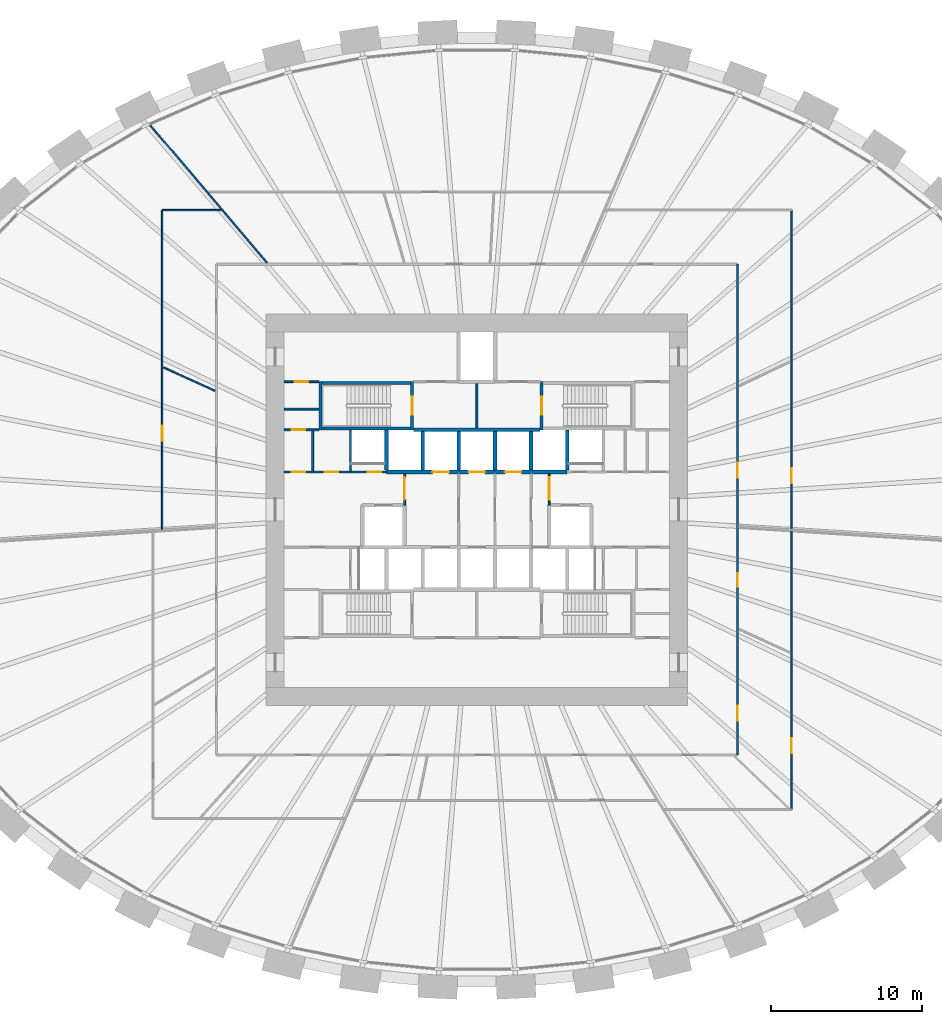
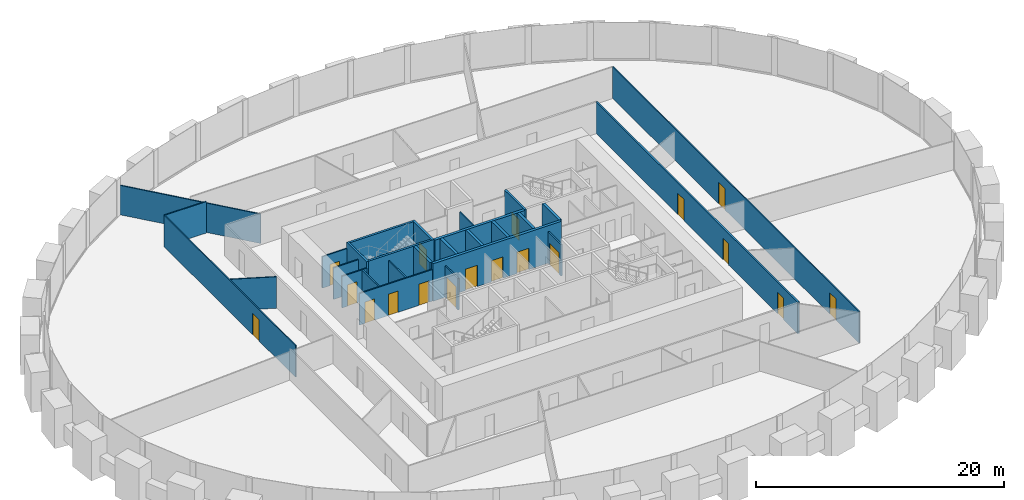
# One storey, part 8 of 10: 28 walls, 18 doors, 18 openings.
"""IFC4 building model written with IfcOpenShell, lengths in metres."""

from ifc_helpers import new_model, si_unit, direction, frame, frame_2d, origin, place, context, subcontext, project, spatial, rectangle, extrude, source, transform, mapped, material, layer, layer_set, type_object, element, fill, save


model = new_model("IFC4")

# Units and contexts
model_context = context("Model", 3, precision=1e-05, world=origin(), true_north=direction((0.0, 1.0)))
body_context = subcontext(model_context, "Body", "Model", "MODEL_VIEW")
ifc_project = project(units=[si_unit("LENGTHUNIT", "METRE"), si_unit("AREAUNIT", "SQUARE_METRE"), si_unit("VOLUMEUNIT", "CUBIC_METRE"), si_unit("PLANEANGLEUNIT", "RADIAN"), si_unit("MASSUNIT", "GRAM", prefix="KILO")], contexts=[model_context])

# Site, building, storey
site_placement = place(None, origin())
site = spatial("IfcSite", under=ifc_project, at=site_placement, CompositionType="ELEMENT")
building_placement = place(site_placement, origin())
building = spatial("IfcBuilding", under=site, at=building_placement, Name="Embergate Tower", CompositionType="ELEMENT")
storey_placement = place(building_placement, frame((0.0, 0.0, 81.5)))
storey = spatial("IfcBuildingStorey", under=building, at=storey_placement, Name="L16", CompositionType="ELEMENT", Elevation=81.5)

# Walls
ifc_material_1 = material(Name="Concrete C50", Category="concrete")
ifc_layer_1 = layer(ifc_material_1, 0.25)
ifc_layer_set_1 = layer_set([ifc_layer_1], Name="Concrete C50")
wall_type_1 = type_object("IfcWallType", Name="Hoistway wall reinforced concrete 250", PredefinedType="SHEAR", material=ifc_layer_set_1)
shared_shape_1 = source(origin(), body_context, "Body", "SweptSolid", [
    extrude(rectangle(XDim=2.675048828125, YDim=0.25, at=frame_2d((1.33740234375, 0.0))), origin(), (0.0, 0.0, 1.0), 3.699951171875),
])
for number, where, z_axis, x_axis, name in (
    (1, (-6.0, 2.625, 0.0), (0.0, 0.0, 1.0), (0.0, 1.0, 0.0), "HW-1 wall"),
    (2, (6.0, 2.625, 0.0), (0.0, 0.0, 1.0), (0.0, 1.0, 0.0), "HW-1 wall"),
):
    element("IfcWall", number, at=place(storey_placement, frame(where, z_axis=z_axis, x_axis=x_axis)), inside=storey, type_object=wall_type_1, Name=name, PredefinedType="SHEAR", context=body_context, shape_type="MappedRepresentation", body=[
        mapped(shared_shape_1, transform((0.0, 0.0, 0.0))),
    ])

# Wall, openings, doors
ifc_material_2 = material(Name="Core partition blockwork 120")
ifc_layer_2 = layer(ifc_material_2, 0.1201171875)
ifc_layer_set_2 = layer_set([ifc_layer_2], Name="Core partition blockwork 120")
wall_type_2 = type_object("IfcWallType", Name="Core partition blockwork 120", PredefinedType="PARTITIONING", material=ifc_layer_set_2)
shared_shape_2 = source(origin(), body_context, "Body", "SweptSolid", [
    extrude(rectangle(XDim=6.800048828125, YDim=0.1201171875, at=frame_2d((3.39990234375, 0.0))), origin(), (0.0, 0.0, 1.0), 3.10009765625),
])
wall_1_placement = place(storey_placement, frame((-12.800048828125, 2.5, 0.0), z_axis=(0.0, 0.0, 1.0), x_axis=(1.0, 0.0, 0.0)))
wall_1 = element("IfcWall", 3, at=wall_1_placement, inside=storey, type_object=wall_type_2, Name="IP-3 wall", PredefinedType="PARTITIONING", context=body_context, shape_type="MappedRepresentation", body=[
    mapped(shared_shape_2, transform((0.0, 0.0, 0.0))),
])
shared_shape_3 = source(origin(), body_context, "Body", "SweptSolid", [
    extrude(rectangle(XDim=0.89990234375, YDim=2.10009765625, at=frame_2d((0.449951171875, 1.050048828125))), frame((0.0, 0.070068359375, 0.0), z_axis=(0.0, -1.0, 0.0), x_axis=(1.0, 0.0, 0.0)), (0.0, 0.0, 1.0), 0.14013671875),
])
opening_1_placement = place(wall_1_placement, frame((5.550048828125, 0.0, 0.0)))
opening_1 = element("IfcOpeningElement", 4, at=opening_1_placement, cuts=wall_1, Name="Opening ID-1", PredefinedType="OPENING", context=body_context, shape_type="MappedRepresentation", body=[
    mapped(shared_shape_3, transform((0.0, 0.0, 0.0))),
])
opening_2_placement = place(wall_1_placement, frame((0.49609375, 0.0, 0.0)))
opening_2 = element("IfcOpeningElement", 5, at=opening_2_placement, cuts=wall_1, Name="Opening ID-1", PredefinedType="OPENING", context=body_context, shape_type="MappedRepresentation", body=[
    mapped(shared_shape_3, transform((0.0, 0.0, 0.0))),
])
opening_3_placement = place(wall_1_placement, frame((2.696044921875, 0.0, 0.0)))
opening_3 = element("IfcOpeningElement", 6, at=opening_3_placement, cuts=wall_1, Name="Opening ID-1", PredefinedType="OPENING", context=body_context, shape_type="MappedRepresentation", body=[
    mapped(shared_shape_3, transform((0.0, 0.0, 0.0))),
])
ifc_material_3 = material(Name="Interior door 900")
door_type_1 = type_object("IfcDoorType", Name="Interior door 900", OperationType="SINGLE_SWING_LEFT", PredefinedType="DOOR", material=ifc_material_3)
shared_shape_4 = source(origin(), body_context, "Body", "SweptSolid", [
    extrude(rectangle(XDim=0.89990234375, YDim=2.10009765625, at=frame_2d((0.449951171875, 1.050048828125))), frame((0.0, 0.02490234375, 0.0), z_axis=(0.0, -1.0, 0.0), x_axis=(1.0, 0.0, 0.0)), (0.0, 0.0, 1.0), 0.050048828125),
])
door_1_placement = place(opening_1_placement, origin())
door_1 = element("IfcDoor", 7, at=door_1_placement, inside=storey, type_object=door_type_1, Name="ID-1 door", OperationType="SINGLE_SWING_RIGHT", OverallHeight=2.10009765625, OverallWidth=0.89990234375, PredefinedType="DOOR", context=body_context, shape_type="MappedRepresentation", body=[
    mapped(shared_shape_4, transform((0.0, 0.0, 0.0))),
])
fill(opening_1, door_1)
door_2_placement = place(opening_2_placement, origin())
door_2 = element("IfcDoor", 8, at=door_2_placement, inside=storey, type_object=door_type_1, Name="ID-1 door", OperationType="SINGLE_SWING_RIGHT", OverallHeight=2.10009765625, OverallWidth=0.89990234375, PredefinedType="DOOR", context=body_context, shape_type="MappedRepresentation", body=[
    mapped(shared_shape_4, transform((0.0, 0.0, 0.0))),
])
fill(opening_2, door_2)
door_3_placement = place(opening_3_placement, origin())
door_3 = element("IfcDoor", 9, at=door_3_placement, inside=storey, type_object=door_type_1, Name="ID-1 door", OperationType="SINGLE_SWING_LEFT", OverallHeight=2.10009765625, OverallWidth=0.89990234375, PredefinedType="DOOR", context=body_context, shape_type="MappedRepresentation", body=[
    mapped(shared_shape_4, transform((0.0, 0.0, 0.0))),
])
fill(opening_3, door_3)

# Walls
ifc_layer_3 = layer(ifc_material_1, 0.199951171875)
ifc_layer_set_3 = layer_set([ifc_layer_3], Name="Concrete C50")
wall_type_3 = type_object("IfcWallType", Name="Stair enclosure wall reinforced concrete 250", PredefinedType="SHEAR", material=ifc_layer_set_3)
shared_shape_5 = source(origin(), body_context, "Body", "SweptSolid", [
    extrude(rectangle(XDim=6.300048828125, YDim=0.199951171875, at=frame_2d((3.14990234375, 0.0))), origin(), (0.0, 0.0, 1.0), 3.699951171875),
])
for number, where, z_axis, x_axis, name in (
    (10, (-4.199951171875, 5.39990234375, 0.0), (0.0, 0.0, 1.0), (-1.0, 0.0, 0.0), "SE-1 wall"),
    (11, (-4.199951171875, 8.39990234375, 0.0), (0.0, 0.0, 1.0), (-1.0, 0.0, 0.0), "SE-1 wall"),
):
    element("IfcWall", number, at=place(storey_placement, frame(where, z_axis=z_axis, x_axis=x_axis)), inside=storey, type_object=wall_type_3, Name=name, PredefinedType="SHEAR", context=body_context, shape_type="MappedRepresentation", body=[
        mapped(shared_shape_5, transform((0.0, 0.0, 0.0))),
    ])
shared_shape_6 = source(origin(), body_context, "Body", "SweptSolid", [
    extrude(rectangle(XDim=2.739990234375, YDim=0.1201171875, at=frame_2d((1.3701171875, 0.0))), origin(), (0.0, 0.0, 1.0), 3.10009765625),
])
wall_2_placement = place(storey_placement, frame((-8.39990234375, 5.300048828125, 0.0), z_axis=(0.0, 0.0, 1.0), x_axis=(0.0, -1.0, 0.0)))
element("IfcWall", 12, at=wall_2_placement, inside=storey, type_object=wall_type_2, Name="IP-3 wall", PredefinedType="PARTITIONING", context=body_context, shape_type="MappedRepresentation", body=[
    mapped(shared_shape_6, transform((0.0, 0.0, 0.0))),
])
shared_shape_7 = source(origin(), body_context, "Body", "SweptSolid", [
    extrude(rectangle(XDim=2.550048828125, YDim=0.25, at=frame_2d((1.27490234375, 0.0))), origin(), (0.0, 0.0, 1.0), 3.699951171875),
])
for number, where, z_axis, x_axis, name in (
    (13, (-3.60009765625, 2.625, 0.0), (0.0, 0.0, 1.0), (0.0, 1.0, 0.0), "HW-1 wall"),
    (14, (-1.199951171875, 2.625, 0.0), (0.0, 0.0, 1.0), (0.0, 1.0, 0.0), "HW-1 wall"),
    (15, (1.199951171875, 2.625, 0.0), (0.0, 0.0, 1.0), (0.0, 1.0, 0.0), "HW-1 wall"),
    (16, (3.60009765625, 2.625, 0.0), (0.0, 0.0, 1.0), (0.0, 1.0, 0.0), "HW-1 wall"),
):
    element("IfcWall", number, at=place(storey_placement, frame(where, z_axis=z_axis, x_axis=x_axis)), inside=storey, type_object=wall_type_1, Name=name, PredefinedType="SHEAR", context=body_context, shape_type="MappedRepresentation", body=[
        mapped(shared_shape_7, transform((0.0, 0.0, 0.0))),
    ])

# Wall, openings, doors
shared_shape_8 = source(origin(), body_context, "Body", "SweptSolid", [
    extrude(rectangle(XDim=12.0, YDim=0.25, at=frame_2d((6.0, 0.0))), origin(), (0.0, 0.0, 1.0), 3.699951171875),
])
wall_3_placement = place(storey_placement, frame((-6.0, 2.5, 0.0), z_axis=(0.0, 0.0, 1.0), x_axis=(1.0, 0.0, 0.0)))
wall_3 = element("IfcWall", 17, at=wall_3_placement, inside=storey, type_object=wall_type_1, Name="HW-1 wall", PredefinedType="SHEAR", context=body_context, shape_type="MappedRepresentation", body=[
    mapped(shared_shape_8, transform((0.0, 0.0, 0.0))),
])
shared_shape_9 = source(origin(), body_context, "Body", "SweptSolid", [
    extrude(rectangle(XDim=1.10009765625, YDim=2.10009765625, at=frame_2d((0.550048828125, 1.050048828125))), frame((0.0, 0.135009765625, 0.0), z_axis=(0.0, -1.0, 0.0), x_axis=(1.0, 0.0, 0.0)), (0.0, 0.0, 1.0), 0.27001953125),
])
opening_4_placement = place(wall_3_placement, frame((3.050048828125, 0.0, 0.0)))
opening_4 = element("IfcOpeningElement", 18, at=opening_4_placement, cuts=wall_3, Name="Opening LD", PredefinedType="OPENING", context=body_context, shape_type="MappedRepresentation", body=[
    mapped(shared_shape_9, transform((0.0, 0.0, 0.0))),
])
opening_5_placement = place(wall_3_placement, frame((5.449951171875, 0.0, 0.0)))
opening_5 = element("IfcOpeningElement", 19, at=opening_5_placement, cuts=wall_3, Name="Opening LD", PredefinedType="OPENING", context=body_context, shape_type="MappedRepresentation", body=[
    mapped(shared_shape_9, transform((0.0, 0.0, 0.0))),
])
opening_6_placement = place(wall_3_placement, frame((7.85009765625, 0.0, 0.0)))
opening_6 = element("IfcOpeningElement", 20, at=opening_6_placement, cuts=wall_3, Name="Opening LD", PredefinedType="OPENING", context=body_context, shape_type="MappedRepresentation", body=[
    mapped(shared_shape_9, transform((0.0, 0.0, 0.0))),
])
ifc_material_4 = material(Name="Landing door sliding 1100")
door_type_2 = type_object("IfcDoorType", Name="Landing door sliding 1100", OperationType="SLIDING_TO_LEFT", PredefinedType="DOOR", material=ifc_material_4)
shared_shape_10 = source(origin(), body_context, "Body", "SweptSolid", [
    extrude(rectangle(XDim=1.10009765625, YDim=2.10009765625, at=frame_2d((0.550048828125, 1.050048828125))), frame((0.0, 0.02490234375, 0.0), z_axis=(0.0, -1.0, 0.0), x_axis=(1.0, 0.0, 0.0)), (0.0, 0.0, 1.0), 0.050048828125),
])
door_4_placement = place(opening_4_placement, origin())
door_4 = element("IfcDoor", 21, at=door_4_placement, inside=storey, type_object=door_type_2, Name="LD door", OperationType="SLIDING_TO_RIGHT", OverallHeight=2.10009765625, OverallWidth=1.10009765625, PredefinedType="DOOR", context=body_context, shape_type="MappedRepresentation", body=[
    mapped(shared_shape_10, transform((0.0, 0.0, 0.0))),
])
fill(opening_4, door_4)
door_5_placement = place(opening_5_placement, origin())
door_5 = element("IfcDoor", 22, at=door_5_placement, inside=storey, type_object=door_type_2, Name="LD door", OperationType="SLIDING_TO_RIGHT", OverallHeight=2.10009765625, OverallWidth=1.10009765625, PredefinedType="DOOR", context=body_context, shape_type="MappedRepresentation", body=[
    mapped(shared_shape_10, transform((0.0, 0.0, 0.0))),
])
fill(opening_5, door_5)
door_6_placement = place(opening_6_placement, origin())
door_6 = element("IfcDoor", 23, at=door_6_placement, inside=storey, type_object=door_type_2, Name="LD door", OperationType="SLIDING_TO_RIGHT", OverallHeight=2.10009765625, OverallWidth=1.10009765625, PredefinedType="DOOR", context=body_context, shape_type="MappedRepresentation", body=[
    mapped(shared_shape_10, transform((0.0, 0.0, 0.0))),
])
fill(opening_6, door_6)

# Wall
shared_shape_11 = source(origin(), body_context, "Body", "SweptSolid", [
    extrude(rectangle(XDim=8.39990234375, YDim=0.25, at=frame_2d((4.199951171875, 0.0))), origin(), (0.0, 0.0, 1.0), 3.699951171875),
])
wall_4_placement = place(storey_placement, frame((4.199951171875, 5.300048828125, 0.0), z_axis=(0.0, 0.0, 1.0), x_axis=(-1.0, 0.0, 0.0)))
element("IfcWall", 24, at=wall_4_placement, inside=storey, type_object=wall_type_1, Name="HW-1 wall", PredefinedType="SHEAR", context=body_context, shape_type="MappedRepresentation", body=[
    mapped(shared_shape_11, transform((0.0, 0.0, 0.0))),
])

# Wall, opening, door
shared_shape_12 = source(origin(), body_context, "Body", "SweptSolid", [
    extrude(rectangle(XDim=2.074951171875, YDim=0.1201171875, at=frame_2d((1.03759765625, 0.0))), origin(), (0.0, 0.0, 1.0), 3.10009765625),
])
wall_5_placement = place(storey_placement, frame((-4.800048828125, 2.375, 0.0), z_axis=(0.0, 0.0, 1.0), x_axis=(0.0, -1.0, 0.0)))
wall_5 = element("IfcWall", 25, at=wall_5_placement, inside=storey, type_object=wall_type_2, Name="IP-3 wall", PredefinedType="PARTITIONING", context=body_context, shape_type="MappedRepresentation", body=[
    mapped(shared_shape_12, transform((0.0, 0.0, 0.0))),
])
shared_shape_13 = source(origin(), body_context, "Body", "SweptSolid", [
    extrude(rectangle(XDim=1.5, YDim=2.10009765625, at=frame_2d((0.75, 1.050048828125))), frame((0.0, 0.070068359375, 0.0), z_axis=(0.0, -1.0, 0.0), x_axis=(1.0, 0.0, 0.0)), (0.0, 0.0, 1.0), 0.14013671875),
])
opening_7_placement = place(wall_5_placement, frame((0.22509765625, 0.0, 0.0)))
opening_7 = element("IfcOpeningElement", 26, at=opening_7_placement, cuts=wall_5, Name="Opening IF-3", PredefinedType="OPENING", context=body_context, shape_type="MappedRepresentation", body=[
    mapped(shared_shape_13, transform((0.0, 0.0, 0.0))),
])
ifc_material_5 = material(Name="Lobby fire door pair 1500")
door_type_3 = type_object("IfcDoorType", Name="Lobby fire door pair 1500", OperationType="DOUBLE_DOOR_SINGLE_SWING", PredefinedType="DOOR", material=ifc_material_5)
shared_shape_14 = source(origin(), body_context, "Body", "SweptSolid", [
    extrude(rectangle(XDim=1.5, YDim=2.10009765625, at=frame_2d((0.75, 1.050048828125))), frame((0.0, 0.02490234375, 0.0), z_axis=(0.0, -1.0, 0.0), x_axis=(1.0, 0.0, 0.0)), (0.0, 0.0, 1.0), 0.050048828125),
])
door_7_placement = place(opening_7_placement, origin())
door_7 = element("IfcDoor", 27, at=door_7_placement, inside=storey, type_object=door_type_3, Name="IF-3 door", OperationType="DOUBLE_DOOR_SINGLE_SWING", OverallHeight=2.10009765625, OverallWidth=1.5, PredefinedType="DOOR", context=body_context, shape_type="MappedRepresentation", body=[
    mapped(shared_shape_14, transform((0.0, 0.0, 0.0))),
])
fill(opening_7, door_7)

wall_6_placement = place(storey_placement, frame((4.800048828125, 0.300048828125, 0.0), z_axis=(0.0, 0.0, 1.0), x_axis=(0.0, 1.0, 0.0)))
wall_6 = element("IfcWall", 28, at=wall_6_placement, inside=storey, type_object=wall_type_2, Name="IP-3 wall", PredefinedType="PARTITIONING", context=body_context, shape_type="MappedRepresentation", body=[
    mapped(shared_shape_12, transform((0.0, 0.0, 0.0))),
])
opening_8_placement = place(wall_6_placement, frame((0.35009765625, 0.0, 0.0)))
opening_8 = element("IfcOpeningElement", 29, at=opening_8_placement, cuts=wall_6, Name="Opening IF-3", PredefinedType="OPENING", context=body_context, shape_type="MappedRepresentation", body=[
    mapped(shared_shape_13, transform((0.0, 0.0, 0.0))),
])
door_8_placement = place(opening_8_placement, origin())
door_8 = element("IfcDoor", 30, at=door_8_placement, inside=storey, type_object=door_type_3, Name="IF-3 door", OperationType="DOUBLE_DOOR_SINGLE_SWING", OverallHeight=2.10009765625, OverallWidth=1.5, PredefinedType="DOOR", context=body_context, shape_type="MappedRepresentation", body=[
    mapped(shared_shape_14, transform((0.0, 0.0, 0.0))),
])
fill(opening_8, door_8)

shared_shape_15 = source(origin(), body_context, "Body", "SweptSolid", [
    extrude(rectangle(XDim=3.199951171875, YDim=0.199951171875, at=frame_2d((1.60009765625, 0.0))), origin(), (0.0, 0.0, 1.0), 3.699951171875),
])
wall_7_placement = place(storey_placement, frame((-4.300048828125, 5.300048828125, 0.0), z_axis=(0.0, 0.0, 1.0), x_axis=(0.0, 1.0, 0.0)))
wall_7 = element("IfcWall", 31, at=wall_7_placement, inside=storey, type_object=wall_type_3, Name="SE-1 wall", PredefinedType="SHEAR", context=body_context, shape_type="MappedRepresentation", body=[
    mapped(shared_shape_15, transform((0.0, 0.0, 0.0))),
])
shared_shape_16 = source(origin(), body_context, "Body", "SweptSolid", [
    extrude(rectangle(XDim=1.199951171875, YDim=2.10009765625, at=frame_2d((0.60009765625, 1.050048828125))), frame((0.0, 0.10986328125, 0.0), z_axis=(0.0, -1.0, 0.0), x_axis=(1.0, 0.0, 0.0)), (0.0, 0.0, 1.0), 0.219970703125),
])
opening_9_placement = place(wall_7_placement, frame((1.0, 0.0, 0.0)))
opening_9 = element("IfcOpeningElement", 32, at=opening_9_placement, cuts=wall_7, Name="Opening IF-2", PredefinedType="OPENING", context=body_context, shape_type="MappedRepresentation", body=[
    mapped(shared_shape_16, transform((0.0, 0.0, 0.0))),
])
ifc_material_6 = material(Name="Stair enclosure door 1200")
door_type_4 = type_object("IfcDoorType", Name="Stair enclosure door 1200", OperationType="SINGLE_SWING_LEFT", PredefinedType="DOOR", material=ifc_material_6)
shared_shape_17 = source(origin(), body_context, "Body", "SweptSolid", [
    extrude(rectangle(XDim=1.199951171875, YDim=2.10009765625, at=frame_2d((0.60009765625, 1.050048828125))), frame((0.0, 0.02490234375, 0.0), z_axis=(0.0, -1.0, 0.0), x_axis=(1.0, 0.0, 0.0)), (0.0, 0.0, 1.0), 0.050048828125),
])
door_9_placement = place(opening_9_placement, origin())
door_9 = element("IfcDoor", 33, at=door_9_placement, inside=storey, type_object=door_type_4, Name="IF-2 door", OperationType="SINGLE_SWING_RIGHT", OverallHeight=2.10009765625, OverallWidth=1.199951171875, PredefinedType="DOOR", context=body_context, shape_type="MappedRepresentation", body=[
    mapped(shared_shape_17, transform((0.0, 0.0, 0.0))),
])
fill(opening_9, door_9)

# Wall
wall_8_placement = place(storey_placement, frame((-10.39990234375, 8.5, 0.0), z_axis=(0.0, 0.0, 1.0), x_axis=(0.0, -1.0, 0.0)))
element("IfcWall", 34, at=wall_8_placement, inside=storey, type_object=wall_type_3, Name="SE-1 wall", PredefinedType="SHEAR", context=body_context, shape_type="MappedRepresentation", body=[
    mapped(shared_shape_15, transform((0.0, 0.0, 0.0))),
])

# Wall, opening, door
wall_9_placement = place(storey_placement, frame((4.300048828125, 8.5, 0.0), z_axis=(0.0, 0.0, 1.0), x_axis=(0.0, -1.0, 0.0)))
wall_9 = element("IfcWall", 35, at=wall_9_placement, inside=storey, type_object=wall_type_3, Name="SE-1 wall", PredefinedType="SHEAR", context=body_context, shape_type="MappedRepresentation", body=[
    mapped(shared_shape_15, transform((0.0, 0.0, 0.0))),
])
opening_10_placement = place(wall_9_placement, frame((1.0, 0.0, 0.0)))
opening_10 = element("IfcOpeningElement", 36, at=opening_10_placement, cuts=wall_9, Name="Opening IF-2", PredefinedType="OPENING", context=body_context, shape_type="MappedRepresentation", body=[
    mapped(shared_shape_16, transform((0.0, 0.0, 0.0))),
])
door_10_placement = place(opening_10_placement, origin())
door_10 = element("IfcDoor", 37, at=door_10_placement, inside=storey, type_object=door_type_4, Name="IF-2 door", OperationType="SINGLE_SWING_LEFT", OverallHeight=2.10009765625, OverallWidth=1.199951171875, PredefinedType="DOOR", context=body_context, shape_type="MappedRepresentation", body=[
    mapped(shared_shape_17, transform((0.0, 0.0, 0.0))),
])
fill(opening_10, door_10)

# Wall
shared_shape_18 = source(origin(), body_context, "Body", "SweptSolid", [
    extrude(rectangle(XDim=2.949951171875, YDim=0.1201171875, at=frame_2d((1.47509765625, 0.0))), origin(), (0.0, 0.0, 1.0), 3.10009765625),
])
wall_10_placement = place(storey_placement, frame((0.0, 5.425048828125, 0.0), z_axis=(0.0, 0.0, 1.0), x_axis=(0.0, 1.0, 0.0)))
element("IfcWall", 38, at=wall_10_placement, inside=storey, type_object=wall_type_2, Name="IP-3 wall", PredefinedType="PARTITIONING", context=body_context, shape_type="MappedRepresentation", body=[
    mapped(shared_shape_18, transform((0.0, 0.0, 0.0))),
])

# Wall, opening, door
shared_shape_19 = source(origin(), body_context, "Body", "SweptSolid", [
    extrude(rectangle(XDim=2.300048828125, YDim=0.1201171875, at=frame_2d((1.14990234375, 0.0))), origin(), (0.0, 0.0, 1.0), 3.10009765625),
])
wall_11_placement = place(storey_placement, frame((-12.800048828125, 8.5, 0.0), z_axis=(0.0, 0.0, 1.0), x_axis=(1.0, 0.0, 0.0)))
wall_11 = element("IfcWall", 39, at=wall_11_placement, inside=storey, type_object=wall_type_2, Name="IP-3 wall", PredefinedType="PARTITIONING", context=body_context, shape_type="MappedRepresentation", body=[
    mapped(shared_shape_19, transform((0.0, 0.0, 0.0))),
])
opening_11_placement = place(wall_11_placement, frame((0.699951171875, 0.0, 0.0)))
opening_11 = element("IfcOpeningElement", 40, at=opening_11_placement, cuts=wall_11, Name="Opening ID-1", PredefinedType="OPENING", context=body_context, shape_type="MappedRepresentation", body=[
    mapped(shared_shape_3, transform((0.0, 0.0, 0.0))),
])
door_11_placement = place(opening_11_placement, origin())
door_11 = element("IfcDoor", 41, at=door_11_placement, inside=storey, type_object=door_type_1, Name="ID-1 door", OperationType="SINGLE_SWING_LEFT", OverallHeight=2.10009765625, OverallWidth=0.89990234375, PredefinedType="DOOR", context=body_context, shape_type="MappedRepresentation", body=[
    mapped(shared_shape_4, transform((0.0, 0.0, 0.0))),
])
fill(opening_11, door_11)

wall_12_placement = place(storey_placement, frame((-10.5, 5.300048828125, 0.0), z_axis=(0.0, 0.0, 1.0), x_axis=(-1.0, 0.0, 0.0)))
wall_12 = element("IfcWall", 42, at=wall_12_placement, inside=storey, type_object=wall_type_2, Name="IP-3 wall", PredefinedType="PARTITIONING", context=body_context, shape_type="MappedRepresentation", body=[
    mapped(shared_shape_19, transform((0.0, 0.0, 0.0))),
])
opening_12_placement = place(wall_12_placement, frame((0.904052734375, 0.0, 0.0)))
opening_12 = element("IfcOpeningElement", 43, at=opening_12_placement, cuts=wall_12, Name="Opening ID-1", PredefinedType="OPENING", context=body_context, shape_type="MappedRepresentation", body=[
    mapped(shared_shape_3, transform((0.0, 0.0, 0.0))),
])
door_12_placement = place(opening_12_placement, origin())
door_12 = element("IfcDoor", 44, at=door_12_placement, inside=storey, type_object=door_type_1, Name="ID-1 door", OperationType="SINGLE_SWING_RIGHT", OverallHeight=2.10009765625, OverallWidth=0.89990234375, PredefinedType="DOOR", context=body_context, shape_type="MappedRepresentation", body=[
    mapped(shared_shape_4, transform((0.0, 0.0, 0.0))),
])
fill(opening_12, door_12)

# Walls
wall_13_placement = place(storey_placement, frame((-10.5, 6.676025390625, 0.0), z_axis=(0.0, 0.0, 1.0), x_axis=(-1.0, 0.0, 0.0)))
element("IfcWall", 45, at=wall_13_placement, inside=storey, type_object=wall_type_2, Name="IP-3 wall", PredefinedType="PARTITIONING", context=body_context, shape_type="MappedRepresentation", body=[
    mapped(shared_shape_19, transform((0.0, 0.0, 0.0))),
])
shared_shape_20 = source(origin(), body_context, "Body", "SweptSolid", [
    extrude(rectangle(XDim=2.679931640625, YDim=0.1201171875, at=frame_2d((1.33984375, 0.0))), origin(), (0.0, 0.0, 1.0), 3.10009765625),
])
wall_14_placement = place(storey_placement, frame((-10.907958984375, 2.56005859375, 0.0), z_axis=(0.0, 0.0, 1.0), x_axis=(0.0, 1.0, 0.0)))
element("IfcWall", 46, at=wall_14_placement, inside=storey, type_object=wall_type_2, Name="IP-3 wall", PredefinedType="PARTITIONING", context=body_context, shape_type="MappedRepresentation", body=[
    mapped(shared_shape_20, transform((0.0, 0.0, 0.0))),
])

# Wall, openings, doors
ifc_material_7 = material(Name="Corridor wall dry-lined 150")
ifc_layer_4 = layer(ifc_material_7, 0.14990234375)
ifc_layer_set_4 = layer_set([ifc_layer_4], Name="Corridor wall dry-lined 150")
wall_type_4 = type_object("IfcWallType", Name="Corridor wall dry-lined 150", PredefinedType="PARTITIONING", material=ifc_layer_set_4)
shared_shape_21 = source(origin(), body_context, "Body", "SweptSolid", [
    extrude(rectangle(XDim=32.60009765625, YDim=0.14990234375, at=frame_2d((16.300048828125, 0.0))), origin(), (0.0, 0.0, 1.0), 3.10009765625),
])
wall_15_placement = place(storey_placement, frame((17.300048828125, 16.300048828125, 0.0), z_axis=(0.0, 0.0, 1.0), x_axis=(0.0, -1.0, 0.0)))
wall_15 = element("IfcWall", 47, at=wall_15_placement, inside=storey, type_object=wall_type_4, Name="IP-2 wall", PredefinedType="PARTITIONING", context=body_context, shape_type="MappedRepresentation", body=[
    mapped(shared_shape_21, transform((0.0, 0.0, 0.0))),
])
shared_shape_22 = source(origin(), body_context, "Body", "SweptSolid", [
    extrude(rectangle(XDim=1.0, YDim=2.10009765625, at=frame_2d((0.5, 1.050048828125))), frame((0.0, 0.0849609375, 0.0), z_axis=(0.0, -1.0, 0.0), x_axis=(1.0, 0.0, 0.0)), (0.0, 0.0, 1.0), 0.169921875),
])
opening_13_placement = place(wall_15_placement, frame((29.325927734375, 0.0, 0.0)))
opening_13 = element("IfcOpeningElement", 48, at=opening_13_placement, cuts=wall_15, Name="Opening ID-2", PredefinedType="OPENING", context=body_context, shape_type="MappedRepresentation", body=[
    mapped(shared_shape_22, transform((0.0, 0.0, 0.0))),
])
shared_shape_23 = source(origin(), body_context, "Body", "SweptSolid", [
    extrude(rectangle(XDim=0.89990234375, YDim=2.10009765625, at=frame_2d((0.449951171875, 1.050048828125))), frame((0.0, 0.0849609375, 0.0), z_axis=(0.0, -1.0, 0.0), x_axis=(1.0, 0.0, 0.0)), (0.0, 0.0, 1.0), 0.169921875),
])
opening_14_placement = place(wall_15_placement, frame((20.511962890625, 0.0, 0.0)))
opening_14 = element("IfcOpeningElement", 49, at=opening_14_placement, cuts=wall_15, Name="Opening IF-1c", PredefinedType="OPENING", context=body_context, shape_type="MappedRepresentation", body=[
    mapped(shared_shape_23, transform((0.0, 0.0, 0.0))),
])
opening_15_placement = place(wall_15_placement, frame((13.196044921875, 0.0, 0.0)))
opening_15 = element("IfcOpeningElement", 50, at=opening_15_placement, cuts=wall_15, Name="Opening ID-2", PredefinedType="OPENING", context=body_context, shape_type="MappedRepresentation", body=[
    mapped(shared_shape_22, transform((0.0, 0.0, 0.0))),
])
ifc_material_8 = material(Name="Escape fire door 900")
door_type_5 = type_object("IfcDoorType", Name="Escape fire door 900", OperationType="SINGLE_SWING_LEFT", PredefinedType="DOOR", material=ifc_material_8)
door_13_placement = place(opening_14_placement, origin())
door_13 = element("IfcDoor", 51, at=door_13_placement, inside=storey, type_object=door_type_5, Name="IF-1 door", OperationType="SINGLE_SWING_RIGHT", OverallHeight=2.10009765625, OverallWidth=0.89990234375, PredefinedType="DOOR", context=body_context, shape_type="MappedRepresentation", body=[
    mapped(shared_shape_4, transform((0.0, 0.0, 0.0))),
])
fill(opening_14, door_13)
ifc_material_9 = material(Name="Interior door 1000")
door_type_6 = type_object("IfcDoorType", Name="Interior door 1000", OperationType="SINGLE_SWING_LEFT", PredefinedType="DOOR", material=ifc_material_9)
shared_shape_24 = source(origin(), body_context, "Body", "SweptSolid", [
    extrude(rectangle(XDim=1.0, YDim=2.10009765625, at=frame_2d((0.5, 1.050048828125))), frame((0.0, 0.02490234375, 0.0), z_axis=(0.0, -1.0, 0.0), x_axis=(1.0, 0.0, 0.0)), (0.0, 0.0, 1.0), 0.050048828125),
])
door_14_placement = place(opening_13_placement, origin())
door_14 = element("IfcDoor", 52, at=door_14_placement, inside=storey, type_object=door_type_6, Name="ID-2 door", OperationType="SINGLE_SWING_RIGHT", OverallHeight=2.10009765625, OverallWidth=1.0, PredefinedType="DOOR", context=body_context, shape_type="MappedRepresentation", body=[
    mapped(shared_shape_24, transform((0.0, 0.0, 0.0))),
])
fill(opening_13, door_14)
door_15_placement = place(opening_15_placement, origin())
door_15 = element("IfcDoor", 53, at=door_15_placement, inside=storey, type_object=door_type_6, Name="ID-2 door", OperationType="SINGLE_SWING_LEFT", OverallHeight=2.10009765625, OverallWidth=1.0, PredefinedType="DOOR", context=body_context, shape_type="MappedRepresentation", body=[
    mapped(shared_shape_24, transform((0.0, 0.0, 0.0))),
])
fill(opening_15, door_15)

ifc_material_10 = material(Name="Partition dry-lined 100")
ifc_layer_5 = layer(ifc_material_10, 0.10009765625)
ifc_layer_set_5 = layer_set([ifc_layer_5], Name="Partition dry-lined 100")
wall_type_5 = type_object("IfcWallType", Name="Partition dry-lined 100", PredefinedType="PARTITIONING", material=ifc_layer_set_5)
shared_shape_25 = source(origin(), body_context, "Body", "SweptSolid", [
    extrude(rectangle(XDim=39.7998046875, YDim=0.10009765625, at=frame_2d((19.89990234375, 0.0))), origin(), (0.0, 0.0, 1.0), 3.10009765625),
])
wall_16_placement = place(storey_placement, frame((20.89990234375, 19.89990234375, 0.0), z_axis=(0.0, 0.0, 1.0), x_axis=(0.0, -1.0, 0.0)))
wall_16 = element("IfcWall", 54, at=wall_16_placement, inside=storey, type_object=wall_type_5, Name="IP-1 wall", PredefinedType="PARTITIONING", context=body_context, shape_type="MappedRepresentation", body=[
    mapped(shared_shape_25, transform((0.0, 0.0, 0.0))),
])
shared_shape_26 = source(origin(), body_context, "Body", "SweptSolid", [
    extrude(rectangle(XDim=1.0, YDim=2.10009765625, at=frame_2d((0.5, 1.050048828125))), frame((0.0, 0.06005859375, 0.0), z_axis=(0.0, -1.0, 0.0), x_axis=(1.0, 0.0, 0.0)), (0.0, 0.0, 1.0), 0.1201171875),
])
opening_16_placement = place(wall_16_placement, frame((35.08203125, 0.0, 0.0)))
opening_16 = element("IfcOpeningElement", 55, at=opening_16_placement, cuts=wall_16, Name="Opening ID-2", PredefinedType="OPENING", context=body_context, shape_type="MappedRepresentation", body=[
    mapped(shared_shape_26, transform((0.0, 0.0, 0.0))),
])
opening_17_placement = place(wall_16_placement, frame((17.157958984375, 0.0, 0.0)))
opening_17 = element("IfcOpeningElement", 56, at=opening_17_placement, cuts=wall_16, Name="Opening ID-2", PredefinedType="OPENING", context=body_context, shape_type="MappedRepresentation", body=[
    mapped(shared_shape_26, transform((0.0, 0.0, 0.0))),
])
door_16_placement = place(opening_16_placement, origin())
door_16 = element("IfcDoor", 57, at=door_16_placement, inside=storey, type_object=door_type_6, Name="ID-2 door", OperationType="SINGLE_SWING_RIGHT", OverallHeight=2.10009765625, OverallWidth=1.0, PredefinedType="DOOR", context=body_context, shape_type="MappedRepresentation", body=[
    mapped(shared_shape_24, transform((0.0, 0.0, 0.0))),
])
fill(opening_16, door_16)
door_17_placement = place(opening_17_placement, origin())
door_17 = element("IfcDoor", 58, at=door_17_placement, inside=storey, type_object=door_type_6, Name="ID-2 door", OperationType="SINGLE_SWING_LEFT", OverallHeight=2.10009765625, OverallWidth=1.0, PredefinedType="DOOR", context=body_context, shape_type="MappedRepresentation", body=[
    mapped(shared_shape_24, transform((0.0, 0.0, 0.0))),
])
fill(opening_17, door_17)

# Walls
shared_shape_27 = source(origin(), body_context, "Body", "SweptSolid", [
    extrude(rectangle(XDim=12.072021484375, YDim=0.10009765625, at=frame_2d((6.0361328125, 0.0))), origin(), (0.0, 0.0, 1.0), 2.89990234375),
])
wall_17_placement = place(storey_placement, frame((-21.756103515625, 25.60693359375, 0.0), z_axis=(0.0, 0.0, 1.0), x_axis=(0.647465829362, -0.762094482206, 0.0)))
element("IfcWall", 59, at=wall_17_placement, inside=storey, type_object=wall_type_5, Name="IP-1 wall", PredefinedType="PARTITIONING", context=body_context, shape_type="MappedRepresentation", body=[
    mapped(shared_shape_27, transform((0.0, 0.0, 0.0))),
])
shared_shape_28 = source(origin(), body_context, "Body", "SweptSolid", [
    extrude(rectangle(XDim=3.7705078125, YDim=0.10009765625, at=frame_2d((1.88525390625, 0.0))), origin(), (0.0, 0.0, 1.0), 3.10009765625),
])
wall_18_placement = place(storey_placement, frame((-17.39599609375, 7.89404296875, 0.0), z_axis=(0.0, 0.0, 1.0), x_axis=(-0.910532717194, 0.41343702171, 0.0)))
element("IfcWall", 60, at=wall_18_placement, inside=storey, type_object=wall_type_5, Name="IP-1 wall", PredefinedType="PARTITIONING", context=body_context, shape_type="MappedRepresentation", body=[
    mapped(shared_shape_28, transform((0.0, 0.0, 0.0))),
])
shared_shape_29 = source(origin(), body_context, "Body", "SweptSolid", [
    extrude(rectangle(XDim=3.885009765625, YDim=0.10009765625, at=frame_2d((1.9423828125, 0.0))), origin(), (0.0, 0.0, 1.0), 3.10009765625),
])
wall_19_placement = place(storey_placement, frame((-17.014892578125, 19.89990234375, 0.0), z_axis=(0.0, 0.0, 1.0), x_axis=(-1.0, 0.0, 0.0)))
element("IfcWall", 61, at=wall_19_placement, inside=storey, type_object=wall_type_5, Name="IP-1 wall", PredefinedType="PARTITIONING", context=body_context, shape_type="MappedRepresentation", body=[
    mapped(shared_shape_29, transform((0.0, 0.0, 0.0))),
])

# Wall, opening, door
shared_shape_30 = source(origin(), body_context, "Body", "SweptSolid", [
    extrude(rectangle(XDim=21.19482421875, YDim=0.10009765625, at=frame_2d((10.597412109375, 0.0))), origin(), (0.0, 0.0, 1.0), 3.10009765625),
])
wall_20_placement = place(storey_placement, frame((-20.89990234375, 19.89990234375, 0.0), z_axis=(0.0, 0.0, 1.0), x_axis=(0.0, -1.0, 0.0)))
wall_20 = element("IfcWall", 62, at=wall_20_placement, inside=storey, type_object=wall_type_5, Name="IP-1 wall", PredefinedType="PARTITIONING", context=body_context, shape_type="MappedRepresentation", body=[
    mapped(shared_shape_30, transform((0.0, 0.0, 0.0))),
])
opening_18_placement = place(wall_20_placement, frame((14.31494140625, 0.0, 0.0)))
opening_18 = element("IfcOpeningElement", 63, at=opening_18_placement, cuts=wall_20, Name="Opening ID-2", PredefinedType="OPENING", context=body_context, shape_type="MappedRepresentation", body=[
    mapped(shared_shape_26, transform((0.0, 0.0, 0.0))),
])
door_18_placement = place(opening_18_placement, origin())
door_18 = element("IfcDoor", 64, at=door_18_placement, inside=storey, type_object=door_type_6, Name="ID-2 door", OperationType="SINGLE_SWING_LEFT", OverallHeight=2.10009765625, OverallWidth=1.0, PredefinedType="DOOR", context=body_context, shape_type="MappedRepresentation", body=[
    mapped(shared_shape_24, transform((0.0, 0.0, 0.0))),
])
fill(opening_18, door_18)

save(model, "model.ifc")
